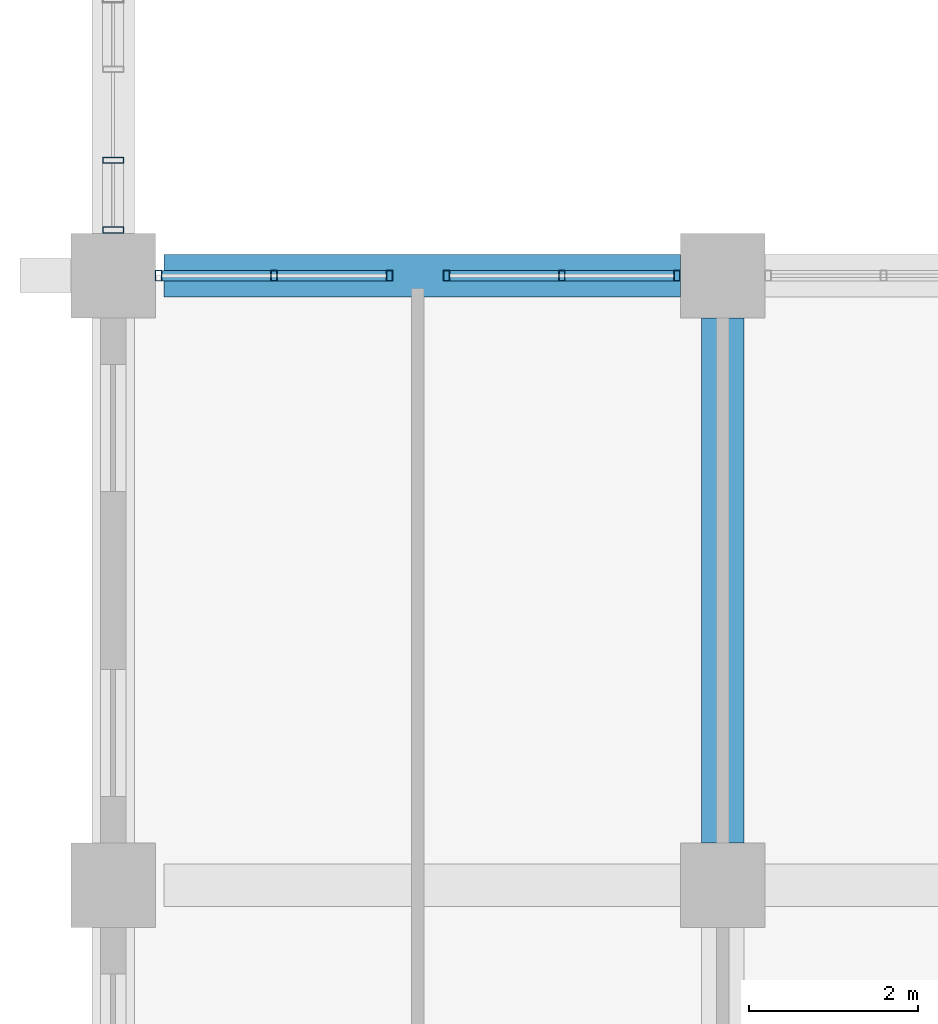
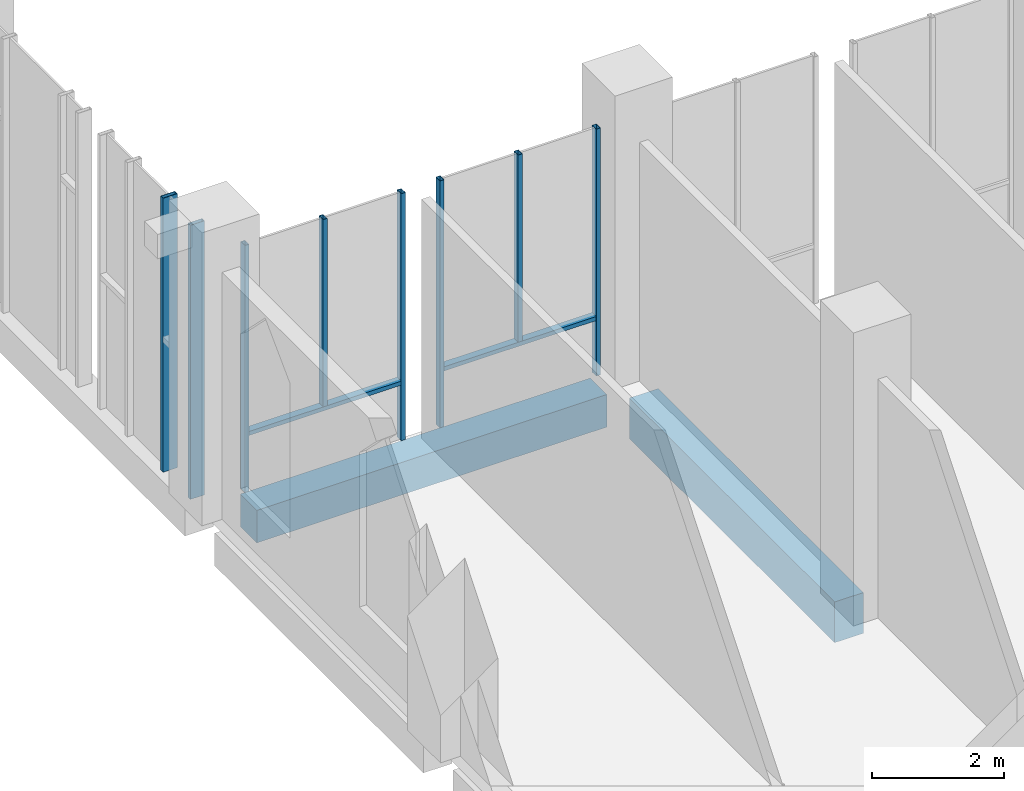
# One storey, part 2 of 48: 10 members, 2 beams, 3 elements without a shape of their own.
"""IFC4 building model written with IfcOpenShell, lengths in metres."""

from ifc_helpers import new_model, si_unit, direction, frame, origin, origin_2d, place, context, subcontext, project, spatial, rectangle, hollow_rectangle, extrude, material, material_profile, profile_set, type_object, element, aggregate, save


model = new_model("IFC4")

# Units and contexts
model_context = context("Model", 3, precision=1e-05, world=origin(), true_north=direction((0.0, 1.0)))
body_context = subcontext(model_context, "Body", "Model", "MODEL_VIEW")
ifc_project = project(units=[si_unit("LENGTHUNIT", "METRE"), si_unit("AREAUNIT", "SQUARE_METRE"), si_unit("VOLUMEUNIT", "CUBIC_METRE"), si_unit("PLANEANGLEUNIT", "RADIAN"), si_unit("MASSUNIT", "GRAM", prefix="KILO")], contexts=[model_context])

# Site, building, storey
site_placement = place(None, origin())
site = spatial("IfcSite", under=ifc_project, at=site_placement, CompositionType="ELEMENT")
building_placement = place(site_placement, origin())
building = spatial("IfcBuilding", under=site, at=building_placement, Name="Silangan Lancet Faculty of Sciences", CompositionType="ELEMENT")
storey_placement = place(building_placement, frame((0.0, 0.0, 6.0)))
storey = spatial("IfcBuildingStorey", under=building, at=storey_placement, Name="L01", CompositionType="ELEMENT", Elevation=6.0)

# Beams
ifc_material_1 = material(Name="Concrete C40/50", Category="concrete")
ifc_material_profile_1 = material_profile(ifc_material_1, rectangle(XDim=0.5, YDim=0.60009765625, at=origin_2d()), Name="RC 500x600")
ifc_profile_set_1 = profile_set([ifc_material_profile_1], Name="Concrete C40/50")
beam_type_1 = type_object("IfcBeamType", Name="BEAM RC 500x600", PredefinedType="BEAM", material=ifc_profile_set_1)
beam_1_placement = place(storey_placement, frame((0.60009765625, 21.60009765625, -0.550048828125), z_axis=(1.0, 0.0, 0.0), x_axis=(0.0, 1.0, 0.0)))
element("IfcBeam", 1, at=beam_1_placement, inside=storey, type_object=beam_type_1, Name="BM-L01-1D-2D", PredefinedType="BEAM", context=body_context, shape_type="SweptSolid", body=[
    extrude(rectangle(XDim=0.5, YDim=0.60009765625, at=origin_2d()), origin(), (0.0, 0.0, 1.0), 6.099853515625),
])
ifc_material_2 = material(Name="Concrete C40/50", Category="concrete")
ifc_material_profile_2 = material_profile(ifc_material_2, rectangle(XDim=0.5, YDim=0.75, at=origin_2d()), Name="RC 500x750")
ifc_profile_set_2 = profile_set([ifc_material_profile_2], Name="Concrete C40/50")
beam_type_2 = type_object("IfcBeamType", Name="BEAM RC 500x750", PredefinedType="BEAM", material=ifc_profile_set_2)
beam_2_placement = place(storey_placement, frame((7.199951171875, 14.89990234375, -0.625), z_axis=(0.0, 1.0, 0.0), x_axis=(-1.0, 0.0, 0.0)))
element("IfcBeam", 2, at=beam_2_placement, inside=storey, type_object=beam_type_2, Name="BM-L01-2C-2D", PredefinedType="BEAM", context=body_context, shape_type="SweptSolid", body=[
    extrude(rectangle(XDim=0.5, YDim=0.75, at=origin_2d()), origin(), (0.0, 0.0, 1.0), 6.2001953125),
])

# Curtain wall, members
ifc_material_3 = material(Name="Aluminium framed curtain wall with insulated glass", Category="aluminium")
curtain_wall_type_1 = type_object("IfcCurtainWallType", Name="CW2 Atrium fire-resisting screen", PredefinedType="NOTDEFINED", material=ifc_material_3)
curtain_wall_1_placement = place(storey_placement, origin())
curtain_wall_1 = element("IfcCurtainWall", 3, at=curtain_wall_1_placement, inside=storey, type_object=curtain_wall_type_1, Name="CW2 Atrium south L01 bay 5", PredefinedType="NOTDEFINED")
ifc_material_4 = material(Name="Steel S355J2H", Category="steel")
ifc_material_profile_3 = material_profile(ifc_material_4, hollow_rectangle(XDim=0.074951171875, YDim=0.125, WallThickness=0.0048828125, at=origin_2d()), Name="ST BOX 75x125x5")
ifc_profile_set_3 = profile_set([ifc_material_profile_3], Name="Steel S355J2H")
member_type_1 = type_object("IfcMemberType", Name="CM2 Mullion 75x125", PredefinedType="MULLION", material=ifc_profile_set_3)
member_1_placement = place(storey_placement, frame((6.66259765625, 21.60009765625, 0.0), z_axis=(0.0, 0.0, 1.0), x_axis=(-1.0, 0.0, 0.0)))
member_1 = element("IfcMember", 4, at=member_1_placement, type_object=member_type_1, Name="CW2 Atrium south L01 bay 5 mullion 1", PredefinedType="MULLION", context=body_context, shape_type="SweptSolid", body=[
    extrude(hollow_rectangle(XDim=0.074951171875, YDim=0.125, WallThickness=0.0048828125, at=origin_2d()), origin(), (0.0, 0.0, 1.0), 4.550048828125),
])
member_2_placement = place(storey_placement, frame((3.9375, 21.60009765625, 0.0), z_axis=(0.0, 0.0, 1.0), x_axis=(-1.0, 0.0, 0.0)))
member_2 = element("IfcMember", 5, at=member_2_placement, type_object=member_type_1, Name="CW2 Atrium south L01 bay 5 mullion 2", PredefinedType="MULLION", context=body_context, shape_type="SweptSolid", body=[
    extrude(hollow_rectangle(XDim=0.074951171875, YDim=0.125, WallThickness=0.0048828125, at=origin_2d()), origin(), (0.0, 0.0, 1.0), 4.550048828125),
])
member_3_placement = place(storey_placement, frame((5.300048828125, 21.60009765625, 1.10009765625), z_axis=(0.0, 0.0, 1.0), x_axis=(-1.0, 0.0, 0.0)))
member_3 = element("IfcMember", 6, at=member_3_placement, type_object=member_type_1, Name="CW2 Atrium south L01 bay 5 mullion 3", PredefinedType="MULLION", context=body_context, shape_type="SweptSolid", body=[
    extrude(hollow_rectangle(XDim=0.074951171875, YDim=0.125, WallThickness=0.0048828125, at=origin_2d()), origin(), (0.0, 0.0, 1.0), 3.449951171875),
])

curtain_wall_2_placement = place(storey_placement, origin())
curtain_wall_2 = element("IfcCurtainWall", 7, at=curtain_wall_2_placement, inside=storey, type_object=curtain_wall_type_1, Name="CW2 Atrium south L01 bay 6", PredefinedType="NOTDEFINED")
member_4_placement = place(storey_placement, frame((3.2626953125, 21.60009765625, 0.0), z_axis=(0.0, 0.0, 1.0), x_axis=(-1.0, 0.0, 0.0)))
member_4 = element("IfcMember", 8, at=member_4_placement, type_object=member_type_1, Name="CW2 Atrium south L01 bay 6 mullion 1", PredefinedType="MULLION", context=body_context, shape_type="SweptSolid", body=[
    extrude(hollow_rectangle(XDim=0.074951171875, YDim=0.125, WallThickness=0.0048828125, at=origin_2d()), origin(), (0.0, 0.0, 1.0), 4.550048828125),
])
member_5_placement = place(storey_placement, frame((0.53759765625, 21.60009765625, 0.0), z_axis=(0.0, 0.0, 1.0), x_axis=(-1.0, 0.0, 0.0)))
member_5 = element("IfcMember", 9, at=member_5_placement, type_object=member_type_1, Name="CW2 Atrium south L01 bay 6 mullion 2", PredefinedType="MULLION", context=body_context, shape_type="SweptSolid", body=[
    extrude(hollow_rectangle(XDim=0.074951171875, YDim=0.125, WallThickness=0.0048828125, at=origin_2d()), origin(), (0.0, 0.0, 1.0), 4.550048828125),
])
member_6_placement = place(storey_placement, frame((1.900146484375, 21.60009765625, 1.10009765625), z_axis=(0.0, 0.0, 1.0), x_axis=(-1.0, 0.0, 0.0)))
member_6 = element("IfcMember", 10, at=member_6_placement, type_object=member_type_1, Name="CW2 Atrium south L01 bay 6 mullion 3", PredefinedType="MULLION", context=body_context, shape_type="SweptSolid", body=[
    extrude(hollow_rectangle(XDim=0.074951171875, YDim=0.125, WallThickness=0.0048828125, at=origin_2d()), origin(), (0.0, 0.0, 1.0), 3.449951171875),
])

ifc_material_5 = material(Name="Aluminium framed curtain wall with insulated glass", Category="aluminium")
curtain_wall_type_2 = type_object("IfcCurtainWallType", Name="CW3 West stepped lancet window", PredefinedType="NOTDEFINED", material=ifc_material_5)
curtain_wall_3_placement = place(storey_placement, origin())
curtain_wall_3 = element("IfcCurtainWall", 11, at=curtain_wall_3_placement, inside=storey, type_object=curtain_wall_type_2, Name="CW3 West window L01 bay 1", PredefinedType="NOTDEFINED")
ifc_material_6 = material(Name="Aluminium 6063-T6 extrusion", Category="aluminium")
ifc_material_profile_4 = material_profile(ifc_material_6, hollow_rectangle(XDim=0.074951171875, YDim=0.25, WallThickness=0.006103515625, at=origin_2d()), Name="AL BOX 75x250x6")
ifc_profile_set_4 = profile_set([ifc_material_profile_4], Name="Aluminium 6063-T6 extrusion")
member_type_2 = type_object("IfcMemberType", Name="CM3 Mullion 75x250", PredefinedType="MULLION", material=ifc_profile_set_4)
member_7_placement = place(storey_placement, frame((0.0, 22.137451171875, -0.25), z_axis=(0.0, 0.0, 1.0), x_axis=(0.0, 1.0, 0.0)))
member_7 = element("IfcMember", 12, at=member_7_placement, type_object=member_type_2, Name="CW3 West window L01 bay 1 mullion 1", PredefinedType="MULLION", context=body_context, shape_type="SweptSolid", body=[
    extrude(hollow_rectangle(XDim=0.074951171875, YDim=0.25, WallThickness=0.006103515625, at=origin_2d()), origin(), (0.0, 0.0, 1.0), 5.050048828125),
])
member_8_placement = place(storey_placement, frame((0.0, 22.96240234375, -0.25), z_axis=(0.0, 0.0, 1.0), x_axis=(0.0, 1.0, 0.0)))
member_8 = element("IfcMember", 13, at=member_8_placement, type_object=member_type_2, Name="CW3 West window L01 bay 1 mullion 3", PredefinedType="MULLION", context=body_context, shape_type="SweptSolid", body=[
    extrude(hollow_rectangle(XDim=0.074951171875, YDim=0.25, WallThickness=0.006103515625, at=origin_2d()), origin(), (0.0, 0.0, 1.0), 5.050048828125),
])
aggregate(curtain_wall_3, [member_7, member_8])

# Member
ifc_material_7 = material(Name="Steel S355J2H", Category="steel")
ifc_material_profile_5 = material_profile(ifc_material_7, hollow_rectangle(XDim=0.125, YDim=0.074951171875, WallThickness=0.0048828125, at=origin_2d()), Name="ST BOX 125x75x5")
ifc_profile_set_5 = profile_set([ifc_material_profile_5], Name="Steel S355J2H")
member_type_3 = type_object("IfcMemberType", Name="CT2 Transom 125x75", PredefinedType="USERDEFINED", material=ifc_profile_set_5)
member_9_placement = place(storey_placement, frame((6.625, 21.60009765625, 1.0625), z_axis=(-1.0, 0.0, 0.0), x_axis=(0.0, -1.0, 0.0)))
member_9 = element("IfcMember", 14, at=member_9_placement, type_object=member_type_3, Name="CW2 Atrium south L01 bay 5 transom 1", ObjectType="TRANSOM", PredefinedType="USERDEFINED", context=body_context, shape_type="SweptSolid", body=[
    extrude(hollow_rectangle(XDim=0.125, YDim=0.074951171875, WallThickness=0.0048828125, at=origin_2d()), origin(), (0.0, 0.0, 1.0), 2.64990234375),
])

aggregate(curtain_wall_1, [member_1, member_2, member_3, member_9])

member_10_placement = place(storey_placement, frame((3.22509765625, 21.60009765625, 1.0625), z_axis=(-1.0, 0.0, 0.0), x_axis=(0.0, -1.0, 0.0)))
member_10 = element("IfcMember", 15, at=member_10_placement, type_object=member_type_3, Name="CW2 Atrium south L01 bay 6 transom 1", ObjectType="TRANSOM", PredefinedType="USERDEFINED", context=body_context, shape_type="SweptSolid", body=[
    extrude(hollow_rectangle(XDim=0.125, YDim=0.074951171875, WallThickness=0.0048828125, at=origin_2d()), origin(), (0.0, 0.0, 1.0), 2.650146484375),
])

aggregate(curtain_wall_2, [member_4, member_5, member_6, member_10])

save(model, "model.ifc")
